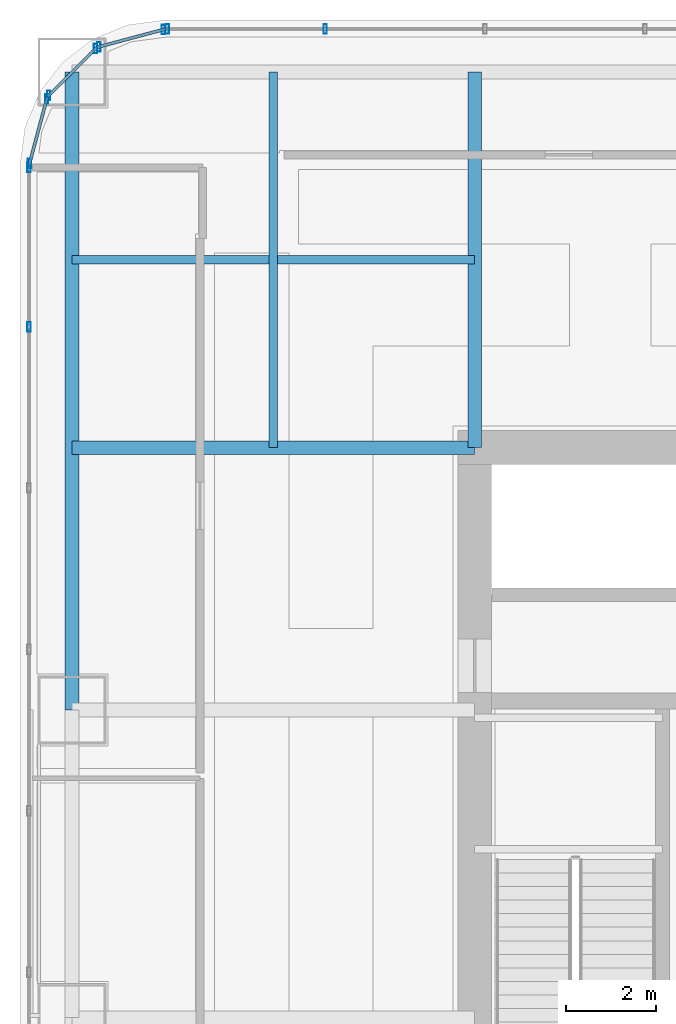
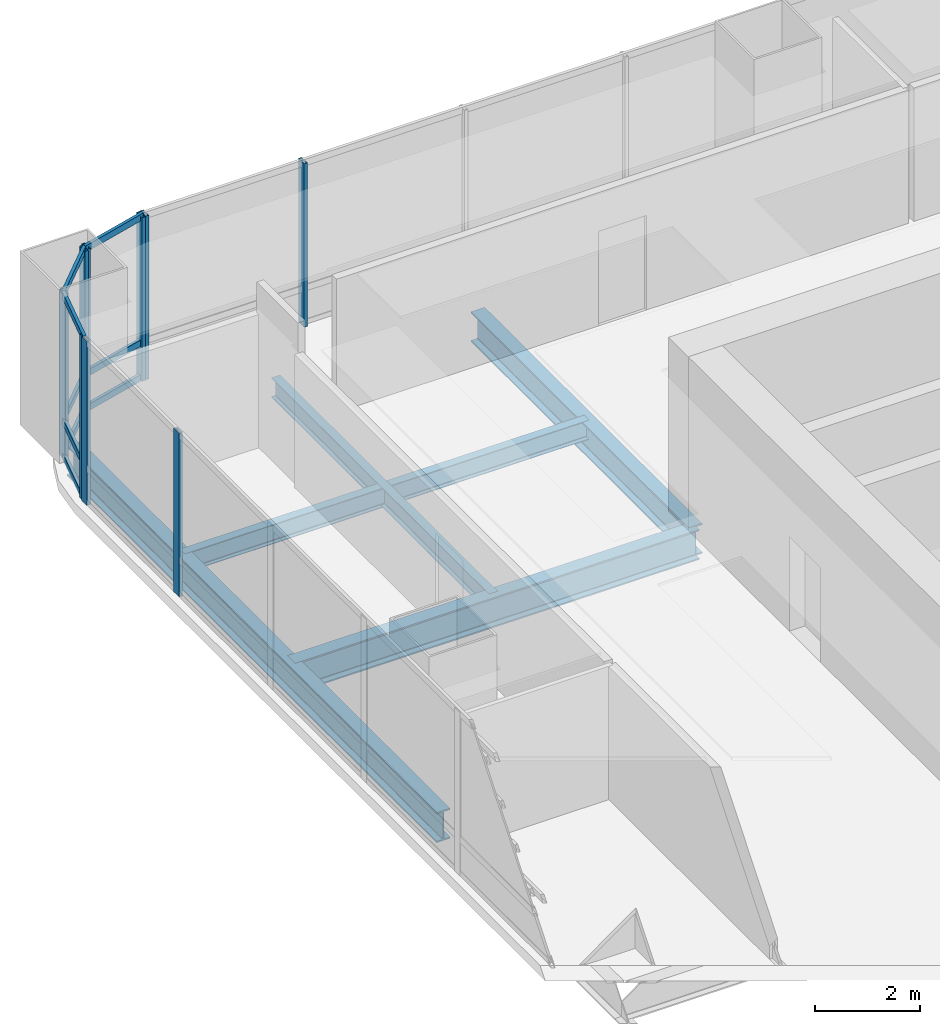
# One storey, part 18 of 34: 19 members, 5 beams, 5 elements without a shape of their own.
"""IFC4 building model written with IfcOpenShell, lengths in metres."""

from ifc_helpers import new_model, si_unit, direction, frame, origin, origin_2d, place, context, subcontext, project, spatial, hollow_rectangle, i_section, extrude, material, material_profile, profile_set, type_object, element, aggregate, save


model = new_model("IFC4")

# Units and contexts
model_context = context("Model", 3, precision=1e-05, world=origin(), true_north=direction((0.0, 1.0)))
body_context = subcontext(model_context, "Body", "Model", "MODEL_VIEW")
ifc_project = project(units=[si_unit("LENGTHUNIT", "METRE"), si_unit("AREAUNIT", "SQUARE_METRE"), si_unit("VOLUMEUNIT", "CUBIC_METRE"), si_unit("PLANEANGLEUNIT", "RADIAN"), si_unit("MASSUNIT", "GRAM", prefix="KILO")], contexts=[model_context])

# Site, building, storey
site_placement = place(None, origin())
site = spatial("IfcSite", under=ifc_project, at=site_placement, CompositionType="ELEMENT")
building_placement = place(site_placement, origin())
building = spatial("IfcBuilding", under=site, at=building_placement, Name="Punatoya Terracotta Tower", CompositionType="ELEMENT")
storey_placement = place(building_placement, frame((0.0, 0.0, 80.85009765625)))
storey = spatial("IfcBuildingStorey", under=building, at=storey_placement, Name="L18", CompositionType="ELEMENT", Elevation=80.85009765625)

# Beams
ifc_material_1 = material(Name="Steel S355", Category="steel")
ifc_material_profile_1 = material_profile(ifc_material_1, i_section(OverallWidth=0.300048828125, OverallDepth=0.699951171875, WebThickness=0.01708984375, FlangeThickness=0.031982421875, FilletRadius=0.01806640625, at=origin_2d()))
ifc_profile_set_1 = profile_set([ifc_material_profile_1], Name="Steel S355")
beam_type_1 = type_object("IfcBeamType", Name="BM-PRI-700", PredefinedType="BEAM", material=ifc_profile_set_1)
beam_1_placement = place(storey_placement, frame((-19.10009765625, 3.39990234375, -0.590087890625), z_axis=(0.0, 1.0, 0.0), x_axis=(-1.0, 0.0, 0.0)))
element("IfcBeam", 1, at=beam_1_placement, inside=storey, type_object=beam_type_1, Name="BM-L18-RG-W3", PredefinedType="BEAM", context=body_context, shape_type="SweptSolid", body=[
    extrude(i_section(OverallWidth=0.300048828125, OverallDepth=0.699951171875, WebThickness=0.01708984375, FlangeThickness=0.031982421875, FilletRadius=0.01806640625, at=origin_2d()), origin(), (0.0, 0.0, 1.0), 14.10009765625),
])
beam_2_placement = place(storey_placement, frame((-19.10009765625, 9.199951171875, -0.590087890625), z_axis=(1.0, 0.0, 0.0), x_axis=(0.0, 1.0, 0.0)))
element("IfcBeam", 2, at=beam_2_placement, inside=storey, type_object=beam_type_1, Name="BM-L18-PR-WN", PredefinedType="BEAM", context=body_context, shape_type="SweptSolid", body=[
    extrude(i_section(OverallWidth=0.300048828125, OverallDepth=0.699951171875, WebThickness=0.01708984375, FlangeThickness=0.031982421875, FilletRadius=0.01806640625, at=origin_2d()), origin(), (0.0, 0.0, 1.0), 8.900146484375),
])
beam_3_placement = place(storey_placement, frame((-10.199951171875, 9.199951171875, -0.590087890625), z_axis=(0.0, 1.0, 0.0), x_axis=(-1.0, 0.0, 0.0)))
element("IfcBeam", 3, at=beam_3_placement, inside=storey, type_object=beam_type_1, Name="BM-L18-PR-N1", PredefinedType="BEAM", context=body_context, shape_type="SweptSolid", body=[
    extrude(i_section(OverallWidth=0.300048828125, OverallDepth=0.699951171875, WebThickness=0.01708984375, FlangeThickness=0.031982421875, FilletRadius=0.01806640625, at=origin_2d()), origin(), (0.0, 0.0, 1.0), 8.300048828125),
])
ifc_material_profile_2 = material_profile(ifc_material_1, i_section(OverallWidth=0.18994140625, OverallDepth=0.449951171875, WebThickness=0.009521484375, FlangeThickness=0.0146484375, FilletRadius=0.01806640625, at=origin_2d()))
ifc_profile_set_2 = profile_set([ifc_material_profile_2], Name="Steel S355")
beam_type_2 = type_object("IfcBeamType", Name="BM-SEC-450", PredefinedType="JOIST", material=ifc_profile_set_2)
beam_4_placement = place(storey_placement, frame((-19.10009765625, 13.35009765625, -0.465087890625), z_axis=(1.0, 0.0, 0.0), x_axis=(0.0, 1.0, 0.0)))
element("IfcBeam", 4, at=beam_4_placement, inside=storey, type_object=beam_type_2, Name="BM-L18-SJN-1", PredefinedType="JOIST", context=body_context, shape_type="SweptSolid", body=[
    extrude(i_section(OverallWidth=0.18994140625, OverallDepth=0.449951171875, WebThickness=0.009521484375, FlangeThickness=0.0146484375, FilletRadius=0.01806640625, at=origin_2d()), origin(), (0.0, 0.0, 1.0), 8.900146484375),
])
beam_5_placement = place(storey_placement, frame((-14.64990234375, 9.199951171875, -0.465087890625), z_axis=(0.0, 1.0, 0.0), x_axis=(-1.0, 0.0, 0.0)))
element("IfcBeam", 5, at=beam_5_placement, inside=storey, type_object=beam_type_2, Name="BM-L18-SJW-2", PredefinedType="JOIST", context=body_context, shape_type="SweptSolid", body=[
    extrude(i_section(OverallWidth=0.18994140625, OverallDepth=0.449951171875, WebThickness=0.009521484375, FlangeThickness=0.0146484375, FilletRadius=0.01806640625, at=origin_2d()), origin(), (0.0, 0.0, 1.0), 8.300048828125),
])

# Curtain wall, members
ifc_material_2 = material(Name="Aluminium 6063-T6 + Double Low-E Glass", Category="aluminium")
curtain_wall_type = type_object("IfcCurtainWallType", Name="CW-M1", PredefinedType="NOTDEFINED", material=ifc_material_2)
curtain_wall_1_placement = place(storey_placement, origin())
curtain_wall_1 = element("IfcCurtainWall", 6, at=curtain_wall_1_placement, inside=storey, type_object=curtain_wall_type, Name="L18 Curtain Wall CW-L18-N09-1", PredefinedType="NOTDEFINED")
ifc_material_3 = material(Name="Aluminium 6063-T6", Category="aluminium")
ifc_material_profile_3 = material_profile(ifc_material_3, hollow_rectangle(XDim=0.074951171875, YDim=0.2099609375, WallThickness=0.00439453125, at=origin_2d()))
ifc_profile_set_3 = profile_set([ifc_material_profile_3], Name="Aluminium 6063-T6")
member_type_1 = type_object("IfcMemberType", Name="CW-MUL-M1", PredefinedType="MULLION", material=ifc_profile_set_3)
member_1_placement = place(storey_placement, frame((-13.5029296875, 18.449951171875, 0.0), z_axis=(0.0, 0.0, 1.0), x_axis=(1.0, 0.0, 0.0)))
member_1 = element("IfcMember", 7, at=member_1_placement, type_object=member_type_1, Name="CW-L18-N09-1 Mullion 10", PredefinedType="MULLION", context=body_context, shape_type="SweptSolid", body=[
    extrude(hollow_rectangle(XDim=0.074951171875, YDim=0.2099609375, WallThickness=0.00439453125, at=origin_2d()), origin(), (0.0, 0.0, 1.0), 3.809814453125),
])
member_2_placement = place(storey_placement, frame((-16.991943359375, 18.449951171875, 0.0), z_axis=(0.0, 0.0, 1.0), x_axis=(1.0, 0.0, 0.0)))
member_2 = element("IfcMember", 8, at=member_2_placement, type_object=member_type_1, Name="CW-L18-N09-1 Mullion 11", PredefinedType="MULLION", context=body_context, shape_type="SweptSolid", body=[
    extrude(hollow_rectangle(XDim=0.074951171875, YDim=0.2099609375, WallThickness=0.00439453125, at=origin_2d()), origin(), (0.0, 0.0, 1.0), 3.809814453125),
])
aggregate(curtain_wall_1, [member_1, member_2])

curtain_wall_2_placement = place(storey_placement, origin())
curtain_wall_2 = element("IfcCurtainWall", 9, at=curtain_wall_2_placement, inside=storey, type_object=curtain_wall_type, Name="L18 Curtain Wall CW-L18-CRN10", PredefinedType="NOTDEFINED")
member_3_placement = place(storey_placement, frame((-17.080322265625, 18.4384765625, 0.0), z_axis=(0.0, 0.0, 1.0), x_axis=(1.0, 0.0, 0.0)))
member_3 = element("IfcMember", 10, at=member_3_placement, type_object=member_type_1, Name="CW-L18-CRN10 Mullion 00", PredefinedType="MULLION", context=body_context, shape_type="SweptSolid", body=[
    extrude(hollow_rectangle(XDim=0.074951171875, YDim=0.2099609375, WallThickness=0.00439453125, at=origin_2d()), origin(), (0.0, 0.0, 1.0), 3.809814453125),
])
member_4_placement = place(storey_placement, frame((-18.505615234375, 18.05810546875, 0.0), z_axis=(0.0, 0.0, 1.0), x_axis=(1.0, 0.0, 0.0)))
member_4 = element("IfcMember", 11, at=member_4_placement, type_object=member_type_1, Name="CW-L18-CRN10 Mullion 01", PredefinedType="MULLION", context=body_context, shape_type="SweptSolid", body=[
    extrude(hollow_rectangle(XDim=0.074951171875, YDim=0.2099609375, WallThickness=0.00439453125, at=origin_2d()), origin(), (0.0, 0.0, 1.0), 3.809814453125),
])

curtain_wall_3_placement = place(storey_placement, origin())
curtain_wall_3 = element("IfcCurtainWall", 12, at=curtain_wall_3_placement, inside=storey, type_object=curtain_wall_type, Name="L18 Curtain Wall CW-L18-CRN11", PredefinedType="NOTDEFINED")
member_5_placement = place(storey_placement, frame((-18.580810546875, 18.014892578125, 0.0), z_axis=(0.0, 0.0, 1.0), x_axis=(1.0, 0.0, 0.0)))
member_5 = element("IfcMember", 13, at=member_5_placement, type_object=member_type_1, Name="CW-L18-CRN11 Mullion 00", PredefinedType="MULLION", context=body_context, shape_type="SweptSolid", body=[
    extrude(hollow_rectangle(XDim=0.074951171875, YDim=0.2099609375, WallThickness=0.00439453125, at=origin_2d()), origin(), (0.0, 0.0, 1.0), 3.809814453125),
])
member_6_placement = place(storey_placement, frame((-19.61474609375, 16.98095703125, 0.0), z_axis=(0.0, 0.0, 1.0), x_axis=(1.0, 0.0, 0.0)))
member_6 = element("IfcMember", 14, at=member_6_placement, type_object=member_type_1, Name="CW-L18-CRN11 Mullion 01", PredefinedType="MULLION", context=body_context, shape_type="SweptSolid", body=[
    extrude(hollow_rectangle(XDim=0.074951171875, YDim=0.2099609375, WallThickness=0.00439453125, at=origin_2d()), origin(), (0.0, 0.0, 1.0), 3.809814453125),
])

curtain_wall_4_placement = place(storey_placement, origin())
curtain_wall_4 = element("IfcCurtainWall", 15, at=curtain_wall_4_placement, inside=storey, type_object=curtain_wall_type, Name="L18 Curtain Wall CW-L18-CRN12", PredefinedType="NOTDEFINED")
member_7_placement = place(storey_placement, frame((-19.658203125, 16.905517578125, 0.0), z_axis=(0.0, 0.0, 1.0), x_axis=(1.0, 0.0, 0.0)))
member_7 = element("IfcMember", 16, at=member_7_placement, type_object=member_type_1, Name="CW-L18-CRN12 Mullion 00", PredefinedType="MULLION", context=body_context, shape_type="SweptSolid", body=[
    extrude(hollow_rectangle(XDim=0.074951171875, YDim=0.2099609375, WallThickness=0.00439453125, at=origin_2d()), origin(), (0.0, 0.0, 1.0), 3.809814453125),
])
member_8_placement = place(storey_placement, frame((-20.038330078125, 15.48046875, 0.0), z_axis=(0.0, 0.0, 1.0), x_axis=(1.0, 0.0, 0.0)))
member_8 = element("IfcMember", 17, at=member_8_placement, type_object=member_type_1, Name="CW-L18-CRN12 Mullion 01", PredefinedType="MULLION", context=body_context, shape_type="SweptSolid", body=[
    extrude(hollow_rectangle(XDim=0.074951171875, YDim=0.2099609375, WallThickness=0.00439453125, at=origin_2d()), origin(), (0.0, 0.0, 1.0), 3.809814453125),
])

curtain_wall_5_placement = place(storey_placement, origin())
curtain_wall_5 = element("IfcCurtainWall", 18, at=curtain_wall_5_placement, inside=storey, type_object=curtain_wall_type, Name="L18 Curtain Wall CW-L18-W13-1", PredefinedType="NOTDEFINED")
member_9_placement = place(storey_placement, frame((-20.050048828125, 15.391845703125, 0.0), z_axis=(0.0, 0.0, 1.0), x_axis=(1.0, 0.0, 0.0)))
member_9 = element("IfcMember", 19, at=member_9_placement, type_object=member_type_1, Name="CW-L18-W13-1 Mullion 00", PredefinedType="MULLION", context=body_context, shape_type="SweptSolid", body=[
    extrude(hollow_rectangle(XDim=0.074951171875, YDim=0.2099609375, WallThickness=0.00439453125, at=origin_2d()), origin(), (0.0, 0.0, 1.0), 3.809814453125),
])
member_10_placement = place(storey_placement, frame((-20.050048828125, 11.869384765625, 0.0), z_axis=(0.0, 0.0, 1.0), x_axis=(1.0, 0.0, 0.0)))
member_10 = element("IfcMember", 20, at=member_10_placement, type_object=member_type_1, Name="CW-L18-W13-1 Mullion 01", PredefinedType="MULLION", context=body_context, shape_type="SweptSolid", body=[
    extrude(hollow_rectangle(XDim=0.074951171875, YDim=0.2099609375, WallThickness=0.00439453125, at=origin_2d()), origin(), (0.0, 0.0, 1.0), 3.809814453125),
])
aggregate(curtain_wall_5, [member_9, member_10])

# Member
ifc_material_profile_4 = material_profile(ifc_material_3, hollow_rectangle(XDim=0.068115234375, YDim=0.14990234375, WallThickness=0.00390625, at=origin_2d()))
ifc_profile_set_4 = profile_set([ifc_material_profile_4], Name="Aluminium 6063-T6")
member_type_2 = type_object("IfcMemberType", Name="CW-TRN-TYP", PredefinedType="USERDEFINED", material=ifc_profile_set_4)
member_11_placement = place(storey_placement, frame((-17.036865234375, 18.449951171875, 0.039794921875), z_axis=(-0.966224582397, -0.257701486942, 0.0), x_axis=(0.257701486942, -0.966224582397, 0.0)))
member_11 = element("IfcMember", 21, at=member_11_placement, type_object=member_type_2, Name="CW-L18-CRN10 Transom 1", ObjectType="TRANSOM", PredefinedType="USERDEFINED", context=body_context, shape_type="SweptSolid", body=[
    extrude(hollow_rectangle(XDim=0.068115234375, YDim=0.14990234375, WallThickness=0.00390625, at=origin_2d()), origin(), (0.0, 0.0, 1.0), 1.565185546875),
])

member_12_placement = place(storey_placement, frame((-17.036865234375, 18.449951171875, 0.849853515625), z_axis=(-0.966224582397, -0.257701486942, 0.0), x_axis=(0.257701486942, -0.966224582397, 0.0)))
member_12 = element("IfcMember", 22, at=member_12_placement, type_object=member_type_2, Name="CW-L18-CRN10 Transom 2", ObjectType="TRANSOM", PredefinedType="USERDEFINED", context=body_context, shape_type="SweptSolid", body=[
    extrude(hollow_rectangle(XDim=0.068115234375, YDim=0.14990234375, WallThickness=0.00390625, at=origin_2d()), origin(), (0.0, 0.0, 1.0), 1.565185546875),
])

member_13_placement = place(storey_placement, frame((-17.036865234375, 18.449951171875, 3.77001953125), z_axis=(-0.966224582397, -0.257701486942, 0.0), x_axis=(0.257701486942, -0.966224582397, 0.0)))
member_13 = element("IfcMember", 23, at=member_13_placement, type_object=member_type_2, Name="CW-L18-CRN10 Transom 3", ObjectType="TRANSOM", PredefinedType="USERDEFINED", context=body_context, shape_type="SweptSolid", body=[
    extrude(hollow_rectangle(XDim=0.068115234375, YDim=0.14990234375, WallThickness=0.00390625, at=origin_2d()), origin(), (0.0, 0.0, 1.0), 1.565185546875),
])

aggregate(curtain_wall_2, [member_3, member_4, member_11, member_12, member_13])

member_14_placement = place(storey_placement, frame((-18.549072265625, 18.046630859375, 0.039794921875), z_axis=(-0.707106781187, -0.707106781187, 0.0), x_axis=(0.707106781187, -0.707106781187, 0.0)))
member_14 = element("IfcMember", 24, at=member_14_placement, type_object=member_type_2, Name="CW-L18-CRN11 Transom 1", ObjectType="TRANSOM", PredefinedType="USERDEFINED", context=body_context, shape_type="SweptSolid", body=[
    extrude(hollow_rectangle(XDim=0.068115234375, YDim=0.14990234375, WallThickness=0.00390625, at=origin_2d()), origin(), (0.0, 0.0, 1.0), 1.552001953125),
])

member_15_placement = place(storey_placement, frame((-18.549072265625, 18.046630859375, 0.849853515625), z_axis=(-0.707106781187, -0.707106781187, 0.0), x_axis=(0.707106781187, -0.707106781187, 0.0)))
member_15 = element("IfcMember", 25, at=member_15_placement, type_object=member_type_2, Name="CW-L18-CRN11 Transom 2", ObjectType="TRANSOM", PredefinedType="USERDEFINED", context=body_context, shape_type="SweptSolid", body=[
    extrude(hollow_rectangle(XDim=0.068115234375, YDim=0.14990234375, WallThickness=0.00390625, at=origin_2d()), origin(), (0.0, 0.0, 1.0), 1.552001953125),
])

member_16_placement = place(storey_placement, frame((-18.549072265625, 18.046630859375, 3.77001953125), z_axis=(-0.707106781187, -0.707106781187, 0.0), x_axis=(0.707106781187, -0.707106781187, 0.0)))
member_16 = element("IfcMember", 26, at=member_16_placement, type_object=member_type_2, Name="CW-L18-CRN11 Transom 3", ObjectType="TRANSOM", PredefinedType="USERDEFINED", context=body_context, shape_type="SweptSolid", body=[
    extrude(hollow_rectangle(XDim=0.068115234375, YDim=0.14990234375, WallThickness=0.00390625, at=origin_2d()), origin(), (0.0, 0.0, 1.0), 1.552001953125),
])

aggregate(curtain_wall_3, [member_5, member_6, member_14, member_15, member_16])

member_17_placement = place(storey_placement, frame((-19.646484375, 16.94921875, 0.039794921875), z_axis=(-0.257847112249, -0.966185730957, 0.0), x_axis=(0.966185730957, -0.257847112249, 0.0)))
member_17 = element("IfcMember", 27, at=member_17_placement, type_object=member_type_2, Name="CW-L18-CRN12 Transom 1", ObjectType="TRANSOM", PredefinedType="USERDEFINED", context=body_context, shape_type="SweptSolid", body=[
    extrude(hollow_rectangle(XDim=0.068115234375, YDim=0.14990234375, WallThickness=0.00390625, at=origin_2d()), origin(), (0.0, 0.0, 1.0), 1.565185546875),
])

member_18_placement = place(storey_placement, frame((-19.646484375, 16.94921875, 0.849853515625), z_axis=(-0.257847112249, -0.966185730957, 0.0), x_axis=(0.966185730957, -0.257847112249, 0.0)))
member_18 = element("IfcMember", 28, at=member_18_placement, type_object=member_type_2, Name="CW-L18-CRN12 Transom 2", ObjectType="TRANSOM", PredefinedType="USERDEFINED", context=body_context, shape_type="SweptSolid", body=[
    extrude(hollow_rectangle(XDim=0.068115234375, YDim=0.14990234375, WallThickness=0.00390625, at=origin_2d()), origin(), (0.0, 0.0, 1.0), 1.565185546875),
])

member_19_placement = place(storey_placement, frame((-19.646484375, 16.94921875, 3.77001953125), z_axis=(-0.257847112249, -0.966185730957, 0.0), x_axis=(0.966185730957, -0.257847112249, 0.0)))
member_19 = element("IfcMember", 29, at=member_19_placement, type_object=member_type_2, Name="CW-L18-CRN12 Transom 3", ObjectType="TRANSOM", PredefinedType="USERDEFINED", context=body_context, shape_type="SweptSolid", body=[
    extrude(hollow_rectangle(XDim=0.068115234375, YDim=0.14990234375, WallThickness=0.00390625, at=origin_2d()), origin(), (0.0, 0.0, 1.0), 1.565185546875),
])

aggregate(curtain_wall_4, [member_7, member_8, member_17, member_18, member_19])

save(model, "model.ifc")
